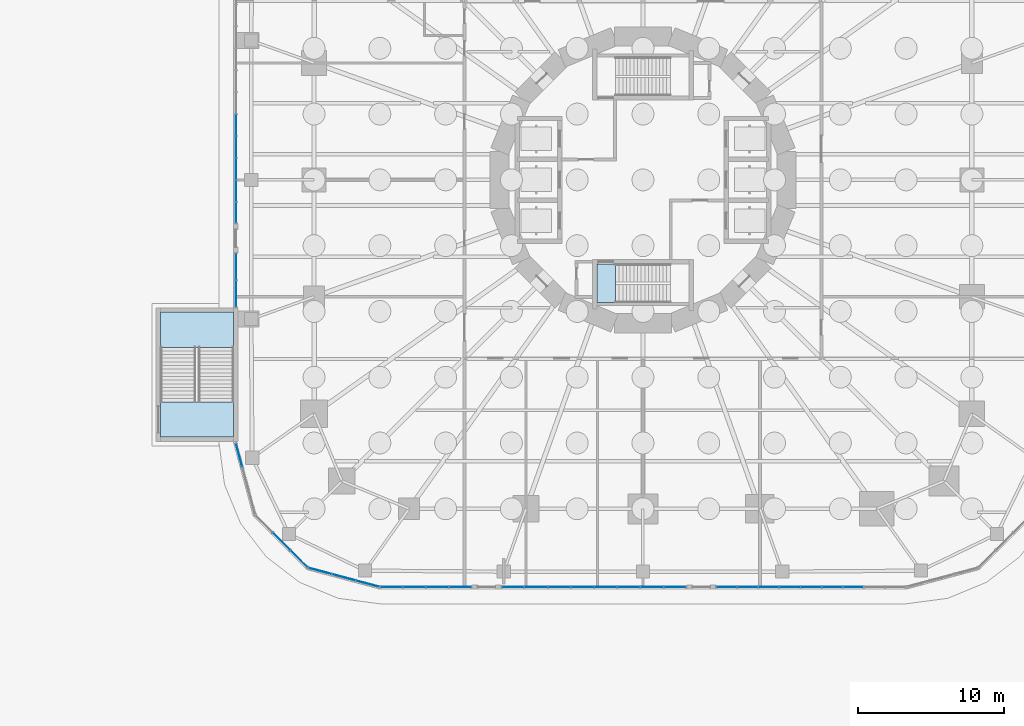
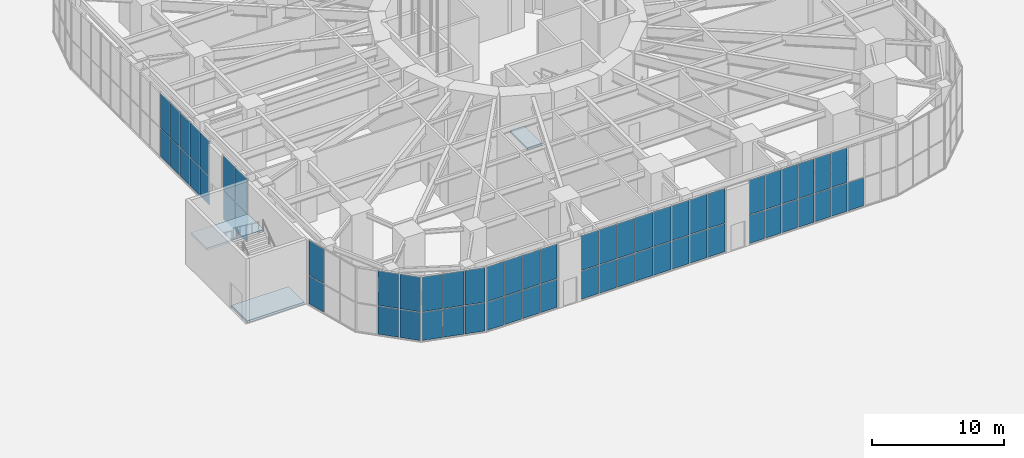
# One storey, part 20 of 43: 63 plates, 3 slabs, 10 elements without a shape of their own.
"""IFC4 building model written with IfcOpenShell, lengths in metres."""

from ifc_helpers import new_model, si_unit, direction, frame, origin, origin_2d, place, context, subcontext, project, spatial, polyline, rectangle, outline, extrude, material, layer, layer_set, type_object, element, aggregate, save


model = new_model("IFC4")

# Units and contexts
model_context = context("Model", 3, precision=1e-05, world=origin(), true_north=direction((0.0, 1.0)))
body_context = subcontext(model_context, "Body", "Model", "MODEL_VIEW")
ifc_project = project(units=[si_unit("LENGTHUNIT", "METRE"), si_unit("AREAUNIT", "SQUARE_METRE"), si_unit("VOLUMEUNIT", "CUBIC_METRE"), si_unit("PLANEANGLEUNIT", "RADIAN"), si_unit("MASSUNIT", "GRAM", prefix="KILO")], contexts=[model_context])

# Site, building, storey
site_placement = place(None, origin())
site = spatial("IfcSite", under=ifc_project, at=site_placement, CompositionType="ELEMENT")
building_placement = place(site_placement, origin())
building = spatial("IfcBuilding", under=site, at=building_placement, Name="Nakasero Lantern House", CompositionType="ELEMENT")
storey_placement = place(building_placement, origin())
storey = spatial("IfcBuildingStorey", under=building, at=storey_placement, Name="L00", CompositionType="ELEMENT", Elevation=0.0)

# Curtain wall, plates
ifc_material_1 = material(Name="Aluminium 6063-T6 and glass", Category="aluminium")
curtain_wall_type = type_object("IfcCurtainWallType", Name="Podium shopfront glazing CW-1", PredefinedType="USERDEFINED", material=ifc_material_1)
curtain_wall_1_placement = place(storey_placement, origin())
curtain_wall_1 = element("IfcCurtainWall", 1, at=curtain_wall_1_placement, inside=storey, type_object=curtain_wall_type, Name="Curtain wall CW-1 L00", ObjectType="STICK CURTAIN WALL", PredefinedType="USERDEFINED")
ifc_material_2 = material(Name="Glass", Category="glass")
ifc_layer_1 = layer(ifc_material_2, 0.028076171875)
ifc_layer_set_1 = layer_set([ifc_layer_1], Name="Glazed panel CW-1")
plate_type = type_object("IfcPlateType", Name="Glazed panel CW-1", PredefinedType="CURTAIN_PANEL", material=ifc_layer_set_1)
plate_1_placement = place(storey_placement, frame((-27.85009765625, 3.75, 0.06005859375), z_axis=(0.0, 0.0, 1.0), x_axis=(0.0, -1.0, 0.0)))
plate_1 = element("IfcPlate", 2, at=plate_1_placement, type_object=plate_type, Name="CW-1 panel 10.1", PredefinedType="CURTAIN_PANEL", context=body_context, shape_type="SweptSolid", body=[
    extrude(rectangle(XDim=1.43994140625, YDim=0.028076171875, at=origin_2d()), origin(), (0.0, 0.0, 1.0), 2.610107421875),
])
plate_2_placement = place(storey_placement, frame((-27.85009765625, 3.75, 2.72998046875), z_axis=(0.0, 0.0, 1.0), x_axis=(0.0, -1.0, 0.0)))
plate_2 = element("IfcPlate", 3, at=plate_2_placement, type_object=plate_type, Name="CW-1 panel 10.2", PredefinedType="CURTAIN_PANEL", context=body_context, shape_type="SweptSolid", body=[
    extrude(rectangle(XDim=1.43994140625, YDim=0.028076171875, at=origin_2d()), origin(), (0.0, 0.0, 1.0), 3.2099609375),
])
plate_3_placement = place(storey_placement, frame((-27.85009765625, 2.25, 0.06005859375), z_axis=(0.0, 0.0, 1.0), x_axis=(0.0, -1.0, 0.0)))
plate_3 = element("IfcPlate", 4, at=plate_3_placement, type_object=plate_type, Name="CW-1 panel 11.1", PredefinedType="CURTAIN_PANEL", context=body_context, shape_type="SweptSolid", body=[
    extrude(rectangle(XDim=1.43994140625, YDim=0.028076171875, at=origin_2d()), origin(), (0.0, 0.0, 1.0), 2.610107421875),
])
plate_4_placement = place(storey_placement, frame((-27.85009765625, 2.25, 2.72998046875), z_axis=(0.0, 0.0, 1.0), x_axis=(0.0, -1.0, 0.0)))
plate_4 = element("IfcPlate", 5, at=plate_4_placement, type_object=plate_type, Name="CW-1 panel 11.2", PredefinedType="CURTAIN_PANEL", context=body_context, shape_type="SweptSolid", body=[
    extrude(rectangle(XDim=1.43994140625, YDim=0.028076171875, at=origin_2d()), origin(), (0.0, 0.0, 1.0), 3.2099609375),
])
plate_5_placement = place(storey_placement, frame((-27.85009765625, 0.75, 0.06005859375), z_axis=(0.0, 0.0, 1.0), x_axis=(0.0, -1.0, 0.0)))
plate_5 = element("IfcPlate", 6, at=plate_5_placement, type_object=plate_type, Name="CW-1 panel 12.1", PredefinedType="CURTAIN_PANEL", context=body_context, shape_type="SweptSolid", body=[
    extrude(rectangle(XDim=1.43994140625, YDim=0.028076171875, at=origin_2d()), origin(), (0.0, 0.0, 1.0), 2.610107421875),
])
plate_6_placement = place(storey_placement, frame((-27.85009765625, 0.75, 2.72998046875), z_axis=(0.0, 0.0, 1.0), x_axis=(0.0, -1.0, 0.0)))
plate_6 = element("IfcPlate", 7, at=plate_6_placement, type_object=plate_type, Name="CW-1 panel 12.2", PredefinedType="CURTAIN_PANEL", context=body_context, shape_type="SweptSolid", body=[
    extrude(rectangle(XDim=1.43994140625, YDim=0.028076171875, at=origin_2d()), origin(), (0.0, 0.0, 1.0), 3.2099609375),
])
plate_7_placement = place(storey_placement, frame((-27.85009765625, -0.75, 0.06005859375), z_axis=(0.0, 0.0, 1.0), x_axis=(0.0, -1.0, 0.0)))
plate_7 = element("IfcPlate", 8, at=plate_7_placement, type_object=plate_type, Name="CW-1 panel 13.1", PredefinedType="CURTAIN_PANEL", context=body_context, shape_type="SweptSolid", body=[
    extrude(rectangle(XDim=1.43994140625, YDim=0.028076171875, at=origin_2d()), origin(), (0.0, 0.0, 1.0), 2.610107421875),
])
plate_8_placement = place(storey_placement, frame((-27.85009765625, -0.75, 2.72998046875), z_axis=(0.0, 0.0, 1.0), x_axis=(0.0, -1.0, 0.0)))
plate_8 = element("IfcPlate", 9, at=plate_8_placement, type_object=plate_type, Name="CW-1 panel 13.2", PredefinedType="CURTAIN_PANEL", context=body_context, shape_type="SweptSolid", body=[
    extrude(rectangle(XDim=1.43994140625, YDim=0.028076171875, at=origin_2d()), origin(), (0.0, 0.0, 1.0), 3.2099609375),
])
plate_9_placement = place(storey_placement, frame((-27.85009765625, -2.235107421875, 0.06005859375), z_axis=(0.0, 0.0, 1.0), x_axis=(0.0, -1.0, 0.0)))
plate_9 = element("IfcPlate", 10, at=plate_9_placement, type_object=plate_type, Name="CW-1 panel 14.1", PredefinedType="CURTAIN_PANEL", context=body_context, shape_type="SweptSolid", body=[
    extrude(rectangle(XDim=1.409912109375, YDim=0.028076171875, at=origin_2d()), origin(), (0.0, 0.0, 1.0), 2.610107421875),
])
plate_10_placement = place(storey_placement, frame((-27.85009765625, -2.235107421875, 2.72998046875), z_axis=(0.0, 0.0, 1.0), x_axis=(0.0, -1.0, 0.0)))
plate_10 = element("IfcPlate", 11, at=plate_10_placement, type_object=plate_type, Name="CW-1 panel 14.2", PredefinedType="CURTAIN_PANEL", context=body_context, shape_type="SweptSolid", body=[
    extrude(rectangle(XDim=1.409912109375, YDim=0.028076171875, at=origin_2d()), origin(), (0.0, 0.0, 1.0), 3.2099609375),
])
aggregate(curtain_wall_1, [plate_1, plate_2, plate_3, plate_4, plate_5, plate_6, plate_7, plate_8, plate_9, plate_10])

curtain_wall_2_placement = place(storey_placement, origin())
curtain_wall_2 = element("IfcCurtainWall", 12, at=curtain_wall_2_placement, inside=storey, type_object=curtain_wall_type, Name="Curtain wall CW-1 L00", ObjectType="STICK CURTAIN WALL", PredefinedType="USERDEFINED")
plate_11_placement = place(storey_placement, frame((-27.85009765625, -5.952392578125, 0.06005859375), z_axis=(0.0, 0.0, 1.0), x_axis=(0.0, -1.0, 0.0)))
plate_11 = element("IfcPlate", 13, at=plate_11_placement, type_object=plate_type, Name="CW-1 panel 1.1", PredefinedType="CURTAIN_PANEL", context=body_context, shape_type="SweptSolid", body=[
    extrude(rectangle(XDim=1.784912109375, YDim=0.028076171875, at=origin_2d()), origin(), (0.0, 0.0, 1.0), 2.610107421875),
])
plate_12_placement = place(storey_placement, frame((-27.85009765625, -5.952392578125, 2.72998046875), z_axis=(0.0, 0.0, 1.0), x_axis=(0.0, -1.0, 0.0)))
plate_12 = element("IfcPlate", 14, at=plate_12_placement, type_object=plate_type, Name="CW-1 panel 1.2", PredefinedType="CURTAIN_PANEL", context=body_context, shape_type="SweptSolid", body=[
    extrude(rectangle(XDim=1.784912109375, YDim=0.028076171875, at=origin_2d()), origin(), (0.0, 0.0, 1.0), 3.2099609375),
])
plate_13_placement = place(storey_placement, frame((-27.85009765625, -7.797607421875, 0.06005859375), z_axis=(0.0, 0.0, 1.0), x_axis=(0.0, -1.0, 0.0)))
plate_13 = element("IfcPlate", 15, at=plate_13_placement, type_object=plate_type, Name="CW-1 panel 2.1", PredefinedType="CURTAIN_PANEL", context=body_context, shape_type="SweptSolid", body=[
    extrude(rectangle(XDim=1.784912109375, YDim=0.028076171875, at=origin_2d()), origin(), (0.0, 0.0, 1.0), 2.610107421875),
])
plate_14_placement = place(storey_placement, frame((-27.85009765625, -7.797607421875, 2.72998046875), z_axis=(0.0, 0.0, 1.0), x_axis=(0.0, -1.0, 0.0)))
plate_14 = element("IfcPlate", 16, at=plate_14_placement, type_object=plate_type, Name="CW-1 panel 2.2", PredefinedType="CURTAIN_PANEL", context=body_context, shape_type="SweptSolid", body=[
    extrude(rectangle(XDim=1.784912109375, YDim=0.028076171875, at=origin_2d()), origin(), (0.0, 0.0, 1.0), 3.2099609375),
])
aggregate(curtain_wall_2, [plate_11, plate_12, plate_13, plate_14])

curtain_wall_3_placement = place(storey_placement, origin())
curtain_wall_3 = element("IfcCurtainWall", 17, at=curtain_wall_3_placement, inside=storey, type_object=curtain_wall_type, Name="Curtain wall CW-1 L00", ObjectType="STICK CURTAIN WALL", PredefinedType="USERDEFINED")
plate_15_placement = place(storey_placement, frame((-27.626220703125, -18.835205078125, 0.06005859375), z_axis=(0.0, 0.0, 1.0), x_axis=(0.258819045153, -0.965925826276, 0.0)))
plate_15 = element("IfcPlate", 18, at=plate_15_placement, type_object=plate_type, Name="CW-1 panel 1.1", PredefinedType="CURTAIN_PANEL", context=body_context, shape_type="SweptSolid", body=[
    extrude(rectangle(XDim=1.609619140625, YDim=0.028076171875, at=origin_2d()), origin(), (0.0, 0.0, 1.0), 2.610107421875),
])
plate_16_placement = place(storey_placement, frame((-27.626220703125, -18.835205078125, 2.72998046875), z_axis=(0.0, 0.0, 1.0), x_axis=(0.258819045153, -0.965925826276, 0.0)))
plate_16 = element("IfcPlate", 19, at=plate_16_placement, type_object=plate_type, Name="CW-1 panel 1.2", PredefinedType="CURTAIN_PANEL", context=body_context, shape_type="SweptSolid", body=[
    extrude(rectangle(XDim=1.609619140625, YDim=0.028076171875, at=origin_2d()), origin(), (0.0, 0.0, 1.0), 3.2099609375),
])
aggregate(curtain_wall_3, [plate_15, plate_16])

curtain_wall_4_placement = place(storey_placement, origin())
curtain_wall_4 = element("IfcCurtainWall", 20, at=curtain_wall_4_placement, inside=storey, type_object=curtain_wall_type, Name="Curtain wall CW-1 L00", ObjectType="STICK CURTAIN WALL", PredefinedType="USERDEFINED")
plate_17_placement = place(storey_placement, frame((-24.727783203125, -24.727783203125, 0.06005859375), z_axis=(0.0, 0.0, 1.0), x_axis=(0.707106781187, -0.707106781187, 0.0)))
plate_17 = element("IfcPlate", 21, at=plate_17_placement, type_object=plate_type, Name="CW-1 panel 2.1", PredefinedType="CURTAIN_PANEL", context=body_context, shape_type="SweptSolid", body=[
    extrude(rectangle(XDim=1.6396484375, YDim=0.028076171875, at=origin_2d()), origin(), (0.0, 0.0, 1.0), 2.610107421875),
])
plate_18_placement = place(storey_placement, frame((-24.727783203125, -24.727783203125, 2.72998046875), z_axis=(0.0, 0.0, 1.0), x_axis=(0.707106781187, -0.707106781187, 0.0)))
plate_18 = element("IfcPlate", 22, at=plate_18_placement, type_object=plate_type, Name="CW-1 panel 2.2", PredefinedType="CURTAIN_PANEL", context=body_context, shape_type="SweptSolid", body=[
    extrude(rectangle(XDim=1.6396484375, YDim=0.028076171875, at=origin_2d()), origin(), (0.0, 0.0, 1.0), 3.2099609375),
])
plate_19_placement = place(storey_placement, frame((-23.536376953125, -25.9189453125, 0.06005859375), z_axis=(0.0, 0.0, 1.0), x_axis=(0.707106781187, -0.707106781187, 0.0)))
plate_19 = element("IfcPlate", 23, at=plate_19_placement, type_object=plate_type, Name="CW-1 panel 3.1", PredefinedType="CURTAIN_PANEL", context=body_context, shape_type="SweptSolid", body=[
    extrude(rectangle(XDim=1.609619140625, YDim=0.028076171875, at=origin_2d()), origin(), (0.0, 0.0, 1.0), 2.610107421875),
])
plate_20_placement = place(storey_placement, frame((-23.536376953125, -25.9189453125, 2.72998046875), z_axis=(0.0, 0.0, 1.0), x_axis=(0.707106781187, -0.707106781187, 0.0)))
plate_20 = element("IfcPlate", 24, at=plate_20_placement, type_object=plate_type, Name="CW-1 panel 3.2", PredefinedType="CURTAIN_PANEL", context=body_context, shape_type="SweptSolid", body=[
    extrude(rectangle(XDim=1.609619140625, YDim=0.028076171875, at=origin_2d()), origin(), (0.0, 0.0, 1.0), 3.2099609375),
])
aggregate(curtain_wall_4, [plate_17, plate_18, plate_19, plate_20])

curtain_wall_5_placement = place(storey_placement, origin())
curtain_wall_5 = element("IfcCurtainWall", 25, at=curtain_wall_5_placement, inside=storey, type_object=curtain_wall_type, Name="Curtain wall CW-1 L00", ObjectType="STICK CURTAIN WALL", PredefinedType="USERDEFINED")
plate_21_placement = place(storey_placement, frame((-22.089599609375, -26.754150390625, 0.06005859375), z_axis=(0.0, 0.0, 1.0), x_axis=(0.965925826276, -0.258819045153, 0.0)))
plate_21 = element("IfcPlate", 26, at=plate_21_placement, type_object=plate_type, Name="CW-1 panel 1.1", PredefinedType="CURTAIN_PANEL", context=body_context, shape_type="SweptSolid", body=[
    extrude(rectangle(XDim=1.609619140625, YDim=0.028076171875, at=origin_2d()), origin(), (0.0, 0.0, 1.0), 2.610107421875),
])
plate_22_placement = place(storey_placement, frame((-22.089599609375, -26.754150390625, 2.72998046875), z_axis=(0.0, 0.0, 1.0), x_axis=(0.965925826276, -0.258819045153, 0.0)))
plate_22 = element("IfcPlate", 27, at=plate_22_placement, type_object=plate_type, Name="CW-1 panel 1.2", PredefinedType="CURTAIN_PANEL", context=body_context, shape_type="SweptSolid", body=[
    extrude(rectangle(XDim=1.609619140625, YDim=0.028076171875, at=origin_2d()), origin(), (0.0, 0.0, 1.0), 3.2099609375),
])
plate_23_placement = place(storey_placement, frame((-20.46240234375, -27.190185546875, 0.06005859375), z_axis=(0.0, 0.0, 1.0), x_axis=(0.965925826276, -0.258819045153, 0.0)))
plate_23 = element("IfcPlate", 28, at=plate_23_placement, type_object=plate_type, Name="CW-1 panel 2.1", PredefinedType="CURTAIN_PANEL", context=body_context, shape_type="SweptSolid", body=[
    extrude(rectangle(XDim=1.6396484375, YDim=0.028076171875, at=origin_2d()), origin(), (0.0, 0.0, 1.0), 2.610107421875),
])
plate_24_placement = place(storey_placement, frame((-20.46240234375, -27.190185546875, 2.72998046875), z_axis=(0.0, 0.0, 1.0), x_axis=(0.965925826276, -0.258819045153, 0.0)))
plate_24 = element("IfcPlate", 29, at=plate_24_placement, type_object=plate_type, Name="CW-1 panel 2.2", PredefinedType="CURTAIN_PANEL", context=body_context, shape_type="SweptSolid", body=[
    extrude(rectangle(XDim=1.6396484375, YDim=0.028076171875, at=origin_2d()), origin(), (0.0, 0.0, 1.0), 3.2099609375),
])
plate_25_placement = place(storey_placement, frame((-18.835205078125, -27.626220703125, 0.06005859375), z_axis=(0.0, 0.0, 1.0), x_axis=(0.965925826276, -0.258819045153, 0.0)))
plate_25 = element("IfcPlate", 30, at=plate_25_placement, type_object=plate_type, Name="CW-1 panel 3.1", PredefinedType="CURTAIN_PANEL", context=body_context, shape_type="SweptSolid", body=[
    extrude(rectangle(XDim=1.609619140625, YDim=0.028076171875, at=origin_2d()), origin(), (0.0, 0.0, 1.0), 2.610107421875),
])
plate_26_placement = place(storey_placement, frame((-18.835205078125, -27.626220703125, 2.72998046875), z_axis=(0.0, 0.0, 1.0), x_axis=(0.965925826276, -0.258819045153, 0.0)))
plate_26 = element("IfcPlate", 31, at=plate_26_placement, type_object=plate_type, Name="CW-1 panel 3.2", PredefinedType="CURTAIN_PANEL", context=body_context, shape_type="SweptSolid", body=[
    extrude(rectangle(XDim=1.609619140625, YDim=0.028076171875, at=origin_2d()), origin(), (0.0, 0.0, 1.0), 3.2099609375),
])
aggregate(curtain_wall_5, [plate_21, plate_22, plate_23, plate_24, plate_25, plate_26])

curtain_wall_6_placement = place(storey_placement, origin())
curtain_wall_6 = element("IfcCurtainWall", 32, at=curtain_wall_6_placement, inside=storey, type_object=curtain_wall_type, Name="Curtain wall CW-1 L00", ObjectType="STICK CURTAIN WALL", PredefinedType="USERDEFINED")
plate_27_placement = place(storey_placement, frame((-17.197509765625, -27.85009765625, 0.06005859375), z_axis=(0.0, 0.0, 1.0), x_axis=(1.0, 0.0, 0.0)))
plate_27 = element("IfcPlate", 33, at=plate_27_placement, type_object=plate_type, Name="CW-1 panel 1.1", PredefinedType="CURTAIN_PANEL", context=body_context, shape_type="SweptSolid", body=[
    extrude(rectangle(XDim=1.485107421875, YDim=0.028076171875, at=origin_2d()), origin(), (0.0, 0.0, 1.0), 2.610107421875),
])
plate_28_placement = place(storey_placement, frame((-17.197509765625, -27.85009765625, 2.72998046875), z_axis=(0.0, 0.0, 1.0), x_axis=(1.0, 0.0, 0.0)))
plate_28 = element("IfcPlate", 34, at=plate_28_placement, type_object=plate_type, Name="CW-1 panel 1.2", PredefinedType="CURTAIN_PANEL", context=body_context, shape_type="SweptSolid", body=[
    extrude(rectangle(XDim=1.485107421875, YDim=0.028076171875, at=origin_2d()), origin(), (0.0, 0.0, 1.0), 3.2099609375),
])
plate_29_placement = place(storey_placement, frame((-15.637451171875, -27.85009765625, 0.06005859375), z_axis=(0.0, 0.0, 1.0), x_axis=(1.0, 0.0, 0.0)))
plate_29 = element("IfcPlate", 35, at=plate_29_placement, type_object=plate_type, Name="CW-1 panel 2.1", PredefinedType="CURTAIN_PANEL", context=body_context, shape_type="SweptSolid", body=[
    extrude(rectangle(XDim=1.514892578125, YDim=0.028076171875, at=origin_2d()), origin(), (0.0, 0.0, 1.0), 2.610107421875),
])
plate_30_placement = place(storey_placement, frame((-15.637451171875, -27.85009765625, 2.72998046875), z_axis=(0.0, 0.0, 1.0), x_axis=(1.0, 0.0, 0.0)))
plate_30 = element("IfcPlate", 36, at=plate_30_placement, type_object=plate_type, Name="CW-1 panel 2.2", PredefinedType="CURTAIN_PANEL", context=body_context, shape_type="SweptSolid", body=[
    extrude(rectangle(XDim=1.514892578125, YDim=0.028076171875, at=origin_2d()), origin(), (0.0, 0.0, 1.0), 3.2099609375),
])
plate_31_placement = place(storey_placement, frame((-14.0625, -27.85009765625, 0.06005859375), z_axis=(0.0, 0.0, 1.0), x_axis=(1.0, 0.0, 0.0)))
plate_31 = element("IfcPlate", 37, at=plate_31_placement, type_object=plate_type, Name="CW-1 panel 3.1", PredefinedType="CURTAIN_PANEL", context=body_context, shape_type="SweptSolid", body=[
    extrude(rectangle(XDim=1.514892578125, YDim=0.028076171875, at=origin_2d()), origin(), (0.0, 0.0, 1.0), 2.610107421875),
])
plate_32_placement = place(storey_placement, frame((-14.0625, -27.85009765625, 2.72998046875), z_axis=(0.0, 0.0, 1.0), x_axis=(1.0, 0.0, 0.0)))
plate_32 = element("IfcPlate", 38, at=plate_32_placement, type_object=plate_type, Name="CW-1 panel 3.2", PredefinedType="CURTAIN_PANEL", context=body_context, shape_type="SweptSolid", body=[
    extrude(rectangle(XDim=1.514892578125, YDim=0.028076171875, at=origin_2d()), origin(), (0.0, 0.0, 1.0), 3.2099609375),
])
plate_33_placement = place(storey_placement, frame((-12.50244140625, -27.85009765625, 0.06005859375), z_axis=(0.0, 0.0, 1.0), x_axis=(1.0, 0.0, 0.0)))
plate_33 = element("IfcPlate", 39, at=plate_33_placement, type_object=plate_type, Name="CW-1 panel 4.1", PredefinedType="CURTAIN_PANEL", context=body_context, shape_type="SweptSolid", body=[
    extrude(rectangle(XDim=1.485107421875, YDim=0.028076171875, at=origin_2d()), origin(), (0.0, 0.0, 1.0), 2.610107421875),
])
plate_34_placement = place(storey_placement, frame((-12.50244140625, -27.85009765625, 2.72998046875), z_axis=(0.0, 0.0, 1.0), x_axis=(1.0, 0.0, 0.0)))
plate_34 = element("IfcPlate", 40, at=plate_34_placement, type_object=plate_type, Name="CW-1 panel 4.2", PredefinedType="CURTAIN_PANEL", context=body_context, shape_type="SweptSolid", body=[
    extrude(rectangle(XDim=1.485107421875, YDim=0.028076171875, at=origin_2d()), origin(), (0.0, 0.0, 1.0), 3.2099609375),
])
aggregate(curtain_wall_6, [plate_27, plate_28, plate_29, plate_30, plate_31, plate_32, plate_33, plate_34])

curtain_wall_7_placement = place(storey_placement, origin())
curtain_wall_7 = element("IfcCurtainWall", 41, at=curtain_wall_7_placement, inside=storey, type_object=curtain_wall_type, Name="Curtain wall CW-1 L00", ObjectType="STICK CURTAIN WALL", PredefinedType="USERDEFINED")
plate_35_placement = place(storey_placement, frame((-8.891357421875, -27.85009765625, 0.06005859375), z_axis=(0.0, 0.0, 1.0), x_axis=(1.0, 0.0, 0.0)))
plate_35 = element("IfcPlate", 42, at=plate_35_placement, type_object=plate_type, Name="CW-1 panel 1.1", PredefinedType="CURTAIN_PANEL", context=body_context, shape_type="SweptSolid", body=[
    extrude(rectangle(XDim=1.49755859375, YDim=0.028076171875, at=origin_2d()), origin(), (0.0, 0.0, 1.0), 2.610107421875),
])
plate_36_placement = place(storey_placement, frame((-8.891357421875, -27.85009765625, 2.72998046875), z_axis=(0.0, 0.0, 1.0), x_axis=(1.0, 0.0, 0.0)))
plate_36 = element("IfcPlate", 43, at=plate_36_placement, type_object=plate_type, Name="CW-1 panel 1.2", PredefinedType="CURTAIN_PANEL", context=body_context, shape_type="SweptSolid", body=[
    extrude(rectangle(XDim=1.49755859375, YDim=0.028076171875, at=origin_2d()), origin(), (0.0, 0.0, 1.0), 3.2099609375),
])
plate_37_placement = place(storey_placement, frame((-7.31884765625, -27.85009765625, 0.06005859375), z_axis=(0.0, 0.0, 1.0), x_axis=(1.0, 0.0, 0.0)))
plate_37 = element("IfcPlate", 44, at=plate_37_placement, type_object=plate_type, Name="CW-1 panel 2.1", PredefinedType="CURTAIN_PANEL", context=body_context, shape_type="SweptSolid", body=[
    extrude(rectangle(XDim=1.527587890625, YDim=0.028076171875, at=origin_2d()), origin(), (0.0, 0.0, 1.0), 2.610107421875),
])
plate_38_placement = place(storey_placement, frame((-7.31884765625, -27.85009765625, 2.72998046875), z_axis=(0.0, 0.0, 1.0), x_axis=(1.0, 0.0, 0.0)))
plate_38 = element("IfcPlate", 45, at=plate_38_placement, type_object=plate_type, Name="CW-1 panel 2.2", PredefinedType="CURTAIN_PANEL", context=body_context, shape_type="SweptSolid", body=[
    extrude(rectangle(XDim=1.527587890625, YDim=0.028076171875, at=origin_2d()), origin(), (0.0, 0.0, 1.0), 3.2099609375),
])
plate_39_placement = place(storey_placement, frame((-5.731201171875, -27.85009765625, 0.06005859375), z_axis=(0.0, 0.0, 1.0), x_axis=(1.0, 0.0, 0.0)))
plate_39 = element("IfcPlate", 46, at=plate_39_placement, type_object=plate_type, Name="CW-1 panel 3.1", PredefinedType="CURTAIN_PANEL", context=body_context, shape_type="SweptSolid", body=[
    extrude(rectangle(XDim=1.527587890625, YDim=0.028076171875, at=origin_2d()), origin(), (0.0, 0.0, 1.0), 2.610107421875),
])
plate_40_placement = place(storey_placement, frame((-5.731201171875, -27.85009765625, 2.72998046875), z_axis=(0.0, 0.0, 1.0), x_axis=(1.0, 0.0, 0.0)))
plate_40 = element("IfcPlate", 47, at=plate_40_placement, type_object=plate_type, Name="CW-1 panel 3.2", PredefinedType="CURTAIN_PANEL", context=body_context, shape_type="SweptSolid", body=[
    extrude(rectangle(XDim=1.527587890625, YDim=0.028076171875, at=origin_2d()), origin(), (0.0, 0.0, 1.0), 3.2099609375),
])
plate_41_placement = place(storey_placement, frame((-4.143798828125, -27.85009765625, 0.06005859375), z_axis=(0.0, 0.0, 1.0), x_axis=(1.0, 0.0, 0.0)))
plate_41 = element("IfcPlate", 48, at=plate_41_placement, type_object=plate_type, Name="CW-1 panel 4.1", PredefinedType="CURTAIN_PANEL", context=body_context, shape_type="SweptSolid", body=[
    extrude(rectangle(XDim=1.527587890625, YDim=0.028076171875, at=origin_2d()), origin(), (0.0, 0.0, 1.0), 2.610107421875),
])
plate_42_placement = place(storey_placement, frame((-4.143798828125, -27.85009765625, 2.72998046875), z_axis=(0.0, 0.0, 1.0), x_axis=(1.0, 0.0, 0.0)))
plate_42 = element("IfcPlate", 49, at=plate_42_placement, type_object=plate_type, Name="CW-1 panel 4.2", PredefinedType="CURTAIN_PANEL", context=body_context, shape_type="SweptSolid", body=[
    extrude(rectangle(XDim=1.527587890625, YDim=0.028076171875, at=origin_2d()), origin(), (0.0, 0.0, 1.0), 3.2099609375),
])
plate_43_placement = place(storey_placement, frame((-2.55615234375, -27.85009765625, 0.06005859375), z_axis=(0.0, 0.0, 1.0), x_axis=(1.0, 0.0, 0.0)))
plate_43 = element("IfcPlate", 50, at=plate_43_placement, type_object=plate_type, Name="CW-1 panel 5.1", PredefinedType="CURTAIN_PANEL", context=body_context, shape_type="SweptSolid", body=[
    extrude(rectangle(XDim=1.527587890625, YDim=0.028076171875, at=origin_2d()), origin(), (0.0, 0.0, 1.0), 2.610107421875),
])
plate_44_placement = place(storey_placement, frame((-2.55615234375, -27.85009765625, 2.72998046875), z_axis=(0.0, 0.0, 1.0), x_axis=(1.0, 0.0, 0.0)))
plate_44 = element("IfcPlate", 51, at=plate_44_placement, type_object=plate_type, Name="CW-1 panel 5.2", PredefinedType="CURTAIN_PANEL", context=body_context, shape_type="SweptSolid", body=[
    extrude(rectangle(XDim=1.527587890625, YDim=0.028076171875, at=origin_2d()), origin(), (0.0, 0.0, 1.0), 3.2099609375),
])
plate_45_placement = place(storey_placement, frame((-0.96875, -27.85009765625, 0.06005859375), z_axis=(0.0, 0.0, 1.0), x_axis=(1.0, 0.0, 0.0)))
plate_45 = element("IfcPlate", 52, at=plate_45_placement, type_object=plate_type, Name="CW-1 panel 6.1", PredefinedType="CURTAIN_PANEL", context=body_context, shape_type="SweptSolid", body=[
    extrude(rectangle(XDim=1.527587890625, YDim=0.028076171875, at=origin_2d()), origin(), (0.0, 0.0, 1.0), 2.610107421875),
])
plate_46_placement = place(storey_placement, frame((-0.96875, -27.85009765625, 2.72998046875), z_axis=(0.0, 0.0, 1.0), x_axis=(1.0, 0.0, 0.0)))
plate_46 = element("IfcPlate", 53, at=plate_46_placement, type_object=plate_type, Name="CW-1 panel 6.2", PredefinedType="CURTAIN_PANEL", context=body_context, shape_type="SweptSolid", body=[
    extrude(rectangle(XDim=1.527587890625, YDim=0.028076171875, at=origin_2d()), origin(), (0.0, 0.0, 1.0), 3.2099609375),
])
plate_47_placement = place(storey_placement, frame((0.61865234375, -27.85009765625, 0.06005859375), z_axis=(0.0, 0.0, 1.0), x_axis=(1.0, 0.0, 0.0)))
plate_47 = element("IfcPlate", 54, at=plate_47_placement, type_object=plate_type, Name="CW-1 panel 7.1", PredefinedType="CURTAIN_PANEL", context=body_context, shape_type="SweptSolid", body=[
    extrude(rectangle(XDim=1.527587890625, YDim=0.028076171875, at=origin_2d()), origin(), (0.0, 0.0, 1.0), 2.610107421875),
])
plate_48_placement = place(storey_placement, frame((0.61865234375, -27.85009765625, 2.72998046875), z_axis=(0.0, 0.0, 1.0), x_axis=(1.0, 0.0, 0.0)))
plate_48 = element("IfcPlate", 55, at=plate_48_placement, type_object=plate_type, Name="CW-1 panel 7.2", PredefinedType="CURTAIN_PANEL", context=body_context, shape_type="SweptSolid", body=[
    extrude(rectangle(XDim=1.527587890625, YDim=0.028076171875, at=origin_2d()), origin(), (0.0, 0.0, 1.0), 3.2099609375),
])
plate_49_placement = place(storey_placement, frame((2.191162109375, -27.85009765625, 0.06005859375), z_axis=(0.0, 0.0, 1.0), x_axis=(1.0, 0.0, 0.0)))
plate_49 = element("IfcPlate", 56, at=plate_49_placement, type_object=plate_type, Name="CW-1 panel 8.1", PredefinedType="CURTAIN_PANEL", context=body_context, shape_type="SweptSolid", body=[
    extrude(rectangle(XDim=1.49755859375, YDim=0.028076171875, at=origin_2d()), origin(), (0.0, 0.0, 1.0), 2.610107421875),
])
plate_50_placement = place(storey_placement, frame((2.191162109375, -27.85009765625, 2.72998046875), z_axis=(0.0, 0.0, 1.0), x_axis=(1.0, 0.0, 0.0)))
plate_50 = element("IfcPlate", 57, at=plate_50_placement, type_object=plate_type, Name="CW-1 panel 8.2", PredefinedType="CURTAIN_PANEL", context=body_context, shape_type="SweptSolid", body=[
    extrude(rectangle(XDim=1.49755859375, YDim=0.028076171875, at=origin_2d()), origin(), (0.0, 0.0, 1.0), 3.2099609375),
])
aggregate(curtain_wall_7, [plate_35, plate_36, plate_37, plate_38, plate_39, plate_40, plate_41, plate_42, plate_43, plate_44, plate_45, plate_46, plate_47, plate_48, plate_49, plate_50])

curtain_wall_8_placement = place(storey_placement, origin())
curtain_wall_8 = element("IfcCurtainWall", 58, at=curtain_wall_8_placement, inside=storey, type_object=curtain_wall_type, Name="Curtain wall CW-1 L00", ObjectType="STICK CURTAIN WALL", PredefinedType="USERDEFINED")
plate_51_placement = place(storey_placement, frame((5.7373046875, -27.85009765625, 0.06005859375), z_axis=(0.0, 0.0, 1.0), x_axis=(1.0, 0.0, 0.0)))
plate_51 = element("IfcPlate", 59, at=plate_51_placement, type_object=plate_type, Name="CW-1 panel 1.1", PredefinedType="CURTAIN_PANEL", context=body_context, shape_type="SweptSolid", body=[
    extrude(rectangle(XDim=1.3544921875, YDim=0.028076171875, at=origin_2d()), origin(), (0.0, 0.0, 1.0), 2.610107421875),
])
plate_52_placement = place(storey_placement, frame((5.7373046875, -27.85009765625, 2.72998046875), z_axis=(0.0, 0.0, 1.0), x_axis=(1.0, 0.0, 0.0)))
plate_52 = element("IfcPlate", 60, at=plate_52_placement, type_object=plate_type, Name="CW-1 panel 1.2", PredefinedType="CURTAIN_PANEL", context=body_context, shape_type="SweptSolid", body=[
    extrude(rectangle(XDim=1.3544921875, YDim=0.028076171875, at=origin_2d()), origin(), (0.0, 0.0, 1.0), 3.2099609375),
])
plate_53_placement = place(storey_placement, frame((7.166748046875, -27.85009765625, 0.06005859375), z_axis=(0.0, 0.0, 1.0), x_axis=(1.0, 0.0, 0.0)))
plate_53 = element("IfcPlate", 61, at=plate_53_placement, type_object=plate_type, Name="CW-1 panel 2.1", PredefinedType="CURTAIN_PANEL", context=body_context, shape_type="SweptSolid", body=[
    extrude(rectangle(XDim=1.384521484375, YDim=0.028076171875, at=origin_2d()), origin(), (0.0, 0.0, 1.0), 2.610107421875),
])
plate_54_placement = place(storey_placement, frame((7.166748046875, -27.85009765625, 2.72998046875), z_axis=(0.0, 0.0, 1.0), x_axis=(1.0, 0.0, 0.0)))
plate_54 = element("IfcPlate", 62, at=plate_54_placement, type_object=plate_type, Name="CW-1 panel 2.2", PredefinedType="CURTAIN_PANEL", context=body_context, shape_type="SweptSolid", body=[
    extrude(rectangle(XDim=1.384521484375, YDim=0.028076171875, at=origin_2d()), origin(), (0.0, 0.0, 1.0), 3.2099609375),
])
plate_55_placement = place(storey_placement, frame((8.611083984375, -27.85009765625, 0.06005859375), z_axis=(0.0, 0.0, 1.0), x_axis=(1.0, 0.0, 0.0)))
plate_55 = element("IfcPlate", 63, at=plate_55_placement, type_object=plate_type, Name="CW-1 panel 3.1", PredefinedType="CURTAIN_PANEL", context=body_context, shape_type="SweptSolid", body=[
    extrude(rectangle(XDim=1.384521484375, YDim=0.028076171875, at=origin_2d()), origin(), (0.0, 0.0, 1.0), 2.610107421875),
])
plate_56_placement = place(storey_placement, frame((8.611083984375, -27.85009765625, 2.72998046875), z_axis=(0.0, 0.0, 1.0), x_axis=(1.0, 0.0, 0.0)))
plate_56 = element("IfcPlate", 64, at=plate_56_placement, type_object=plate_type, Name="CW-1 panel 3.2", PredefinedType="CURTAIN_PANEL", context=body_context, shape_type="SweptSolid", body=[
    extrude(rectangle(XDim=1.384521484375, YDim=0.028076171875, at=origin_2d()), origin(), (0.0, 0.0, 1.0), 3.2099609375),
])
plate_57_placement = place(storey_placement, frame((10.0556640625, -27.85009765625, 0.06005859375), z_axis=(0.0, 0.0, 1.0), x_axis=(1.0, 0.0, 0.0)))
plate_57 = element("IfcPlate", 65, at=plate_57_placement, type_object=plate_type, Name="CW-1 panel 4.1", PredefinedType="CURTAIN_PANEL", context=body_context, shape_type="SweptSolid", body=[
    extrude(rectangle(XDim=1.384521484375, YDim=0.028076171875, at=origin_2d()), origin(), (0.0, 0.0, 1.0), 2.610107421875),
])
plate_58_placement = place(storey_placement, frame((10.0556640625, -27.85009765625, 2.72998046875), z_axis=(0.0, 0.0, 1.0), x_axis=(1.0, 0.0, 0.0)))
plate_58 = element("IfcPlate", 66, at=plate_58_placement, type_object=plate_type, Name="CW-1 panel 4.2", PredefinedType="CURTAIN_PANEL", context=body_context, shape_type="SweptSolid", body=[
    extrude(rectangle(XDim=1.384521484375, YDim=0.028076171875, at=origin_2d()), origin(), (0.0, 0.0, 1.0), 3.2099609375),
])
plate_59_placement = place(storey_placement, frame((11.5, -27.85009765625, 0.06005859375), z_axis=(0.0, 0.0, 1.0), x_axis=(1.0, 0.0, 0.0)))
plate_59 = element("IfcPlate", 67, at=plate_59_placement, type_object=plate_type, Name="CW-1 panel 5.1", PredefinedType="CURTAIN_PANEL", context=body_context, shape_type="SweptSolid", body=[
    extrude(rectangle(XDim=1.384521484375, YDim=0.028076171875, at=origin_2d()), origin(), (0.0, 0.0, 1.0), 2.610107421875),
])
plate_60_placement = place(storey_placement, frame((11.5, -27.85009765625, 2.72998046875), z_axis=(0.0, 0.0, 1.0), x_axis=(1.0, 0.0, 0.0)))
plate_60 = element("IfcPlate", 68, at=plate_60_placement, type_object=plate_type, Name="CW-1 panel 5.2", PredefinedType="CURTAIN_PANEL", context=body_context, shape_type="SweptSolid", body=[
    extrude(rectangle(XDim=1.384521484375, YDim=0.028076171875, at=origin_2d()), origin(), (0.0, 0.0, 1.0), 3.2099609375),
])
plate_61_placement = place(storey_placement, frame((12.9443359375, -27.85009765625, 0.06005859375), z_axis=(0.0, 0.0, 1.0), x_axis=(1.0, 0.0, 0.0)))
plate_61 = element("IfcPlate", 69, at=plate_61_placement, type_object=plate_type, Name="CW-1 panel 6.1", PredefinedType="CURTAIN_PANEL", context=body_context, shape_type="SweptSolid", body=[
    extrude(rectangle(XDim=1.384521484375, YDim=0.028076171875, at=origin_2d()), origin(), (0.0, 0.0, 1.0), 2.610107421875),
])
plate_62_placement = place(storey_placement, frame((12.9443359375, -27.85009765625, 2.72998046875), z_axis=(0.0, 0.0, 1.0), x_axis=(1.0, 0.0, 0.0)))
plate_62 = element("IfcPlate", 70, at=plate_62_placement, type_object=plate_type, Name="CW-1 panel 6.2", PredefinedType="CURTAIN_PANEL", context=body_context, shape_type="SweptSolid", body=[
    extrude(rectangle(XDim=1.384521484375, YDim=0.028076171875, at=origin_2d()), origin(), (0.0, 0.0, 1.0), 3.2099609375),
])
plate_63_placement = place(storey_placement, frame((14.388916015625, -27.85009765625, 0.06005859375), z_axis=(0.0, 0.0, 1.0), x_axis=(1.0, 0.0, 0.0)))
plate_63 = element("IfcPlate", 71, at=plate_63_placement, type_object=plate_type, Name="CW-1 panel 7.1", PredefinedType="CURTAIN_PANEL", context=body_context, shape_type="SweptSolid", body=[
    extrude(rectangle(XDim=1.384521484375, YDim=0.028076171875, at=origin_2d()), origin(), (0.0, 0.0, 1.0), 2.610107421875),
])
aggregate(curtain_wall_8, [plate_51, plate_52, plate_53, plate_54, plate_55, plate_56, plate_57, plate_58, plate_59, plate_60, plate_61, plate_62, plate_63])

# Stair, slab
ifc_material_3 = material(Name="Concrete C40/50", Category="concrete")
stair_type_1 = type_object("IfcStairType", Name="Escape stair ST2 32 risers", PredefinedType="HALF_TURN_STAIR", material=ifc_material_3)
stair_1_placement = place(storey_placement, origin())
stair_1 = element("IfcStair", 72, at=stair_1_placement, inside=storey, type_object=stair_type_1, Name="Escape stair ST2 L00", PredefinedType="HALF_TURN_STAIR")
ifc_material_4 = material(Name="Concrete C40/50", Category="concrete")
ifc_layer_2 = layer(ifc_material_4, 0.199951171875)
ifc_layer_set_2 = layer_set([ifc_layer_2], Name="Stair landing 200")
slab_type = type_object("IfcSlabType", Name="Stair landing 200", PredefinedType="LANDING", material=ifc_layer_set_2)
slab_1_placement = place(storey_placement, frame((0.0, 0.0, -0.199951171875)))
slab_1 = element("IfcSlab", 73, at=slab_1_placement, type_object=slab_type, Name="ST2 landing 1", PredefinedType="LANDING", context=body_context, shape_type="SweptSolid", body=[
    extrude(outline(polyline([(-3.14990234375, -8.39990234375), (-1.875, -8.39990234375), (-1.875, -5.75), (-3.14990234375, -5.75), (-3.14990234375, -8.39990234375)])), origin(), (0.0, 0.0, 1.0), 0.199951171875),
])
aggregate(stair_1, [slab_1])

# Stair, slabs
ifc_material_5 = material(Name="Concrete C40/50", Category="concrete")
stair_type_2 = type_object("IfcStairType", Name="Escape stair PS2 32 risers 188", PredefinedType="HALF_TURN_STAIR", material=ifc_material_5)
stair_2_placement = place(storey_placement, origin())
stair_2 = element("IfcStair", 74, at=stair_2_placement, inside=storey, type_object=stair_type_2, Name="Escape stair PS2 L00", PredefinedType="HALF_TURN_STAIR")
slab_2_placement = place(storey_placement, frame((0.0, 0.0, -0.199951171875)))
slab_2 = element("IfcSlab", 75, at=slab_2_placement, type_object=slab_type, Name="PS2 landing 1", PredefinedType="LANDING", context=body_context, shape_type="SweptSolid", body=[
    extrude(outline(polyline([(-28.0, -15.199951171875), (-33.0, -15.199951171875), (-33.0, -17.60009765625), (-28.0, -17.60009765625), (-28.0, -15.199951171875)])), origin(), (0.0, 0.0, 1.0), 0.199951171875),
])
slab_3_placement = place(storey_placement, frame((0.0, 0.0, 2.800048828125)))
slab_3 = element("IfcSlab", 76, at=slab_3_placement, type_object=slab_type, Name="PS2 landing 2", PredefinedType="LANDING", context=body_context, shape_type="SweptSolid", body=[
    extrude(outline(polyline([(-28.0, -9.050048828125), (-33.0, -9.050048828125), (-33.0, -11.449951171875), (-28.0, -11.449951171875), (-28.0, -9.050048828125)])), origin(), (0.0, 0.0, 1.0), 0.199951171875),
])
aggregate(stair_2, [slab_2, slab_3])

save(model, "model.ifc")
